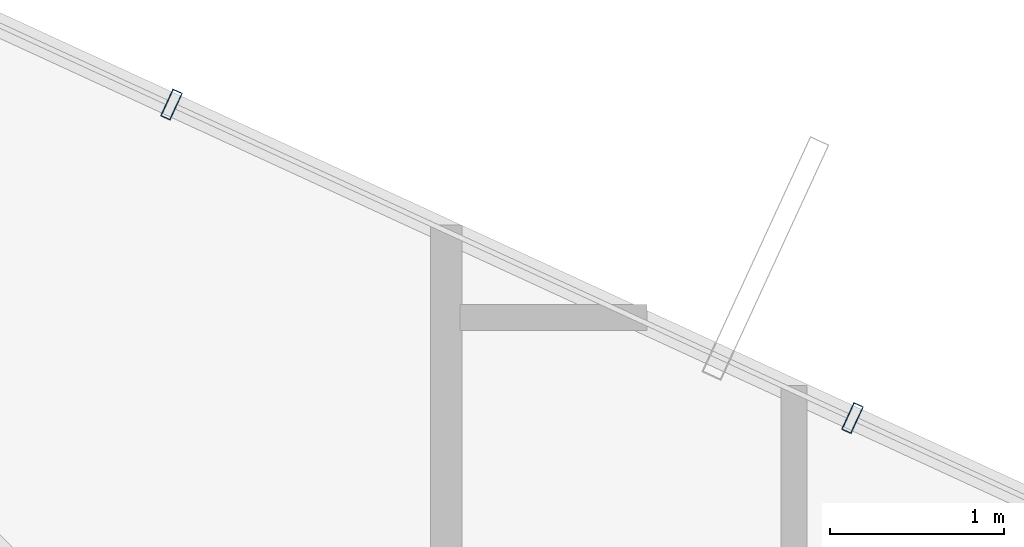
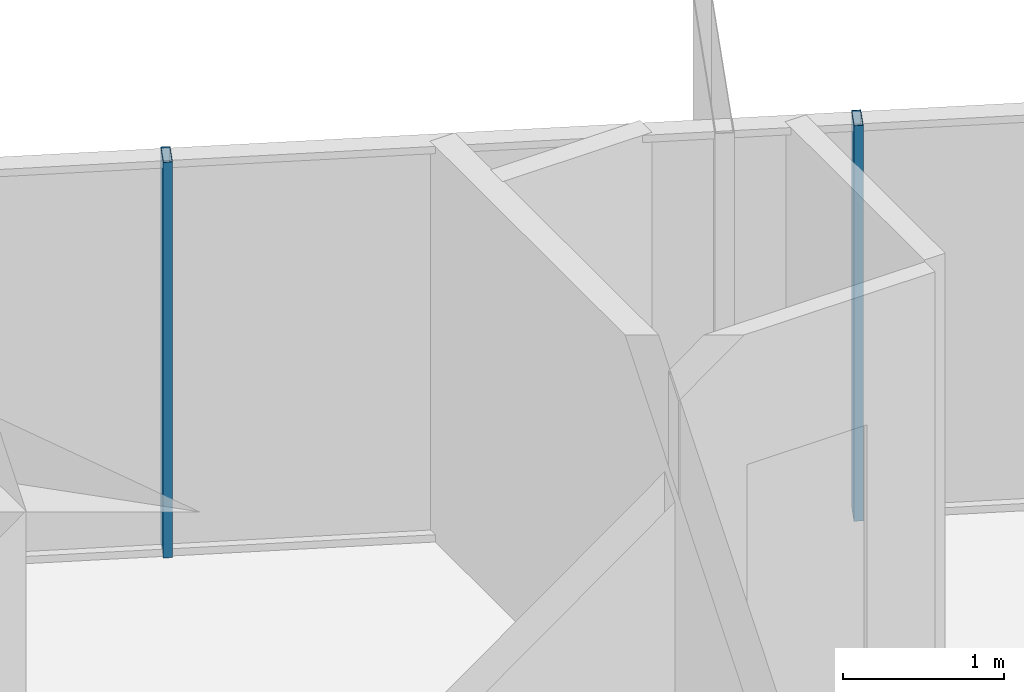
# One storey, part 23 of 33: 2 members, 1 element without a shape of its own.
"""IFC4 building model written with IfcOpenShell, lengths in metres."""

from ifc_helpers import new_model, si_unit, direction, frame, origin, origin_2d, place, context, subcontext, project, spatial, hollow_rectangle, extrude, source, transform, mapped, material, layer, layer_set, material_profile, profile_set, type_object, element, aggregate, save


model = new_model("IFC4")

# Units and contexts
model_context = context("Model", 3, precision=1e-05, world=origin(), true_north=direction((0.0, 1.0)))
body_context = subcontext(model_context, "Body", "Model", "MODEL_VIEW")
ifc_project = project(units=[si_unit("LENGTHUNIT", "METRE"), si_unit("AREAUNIT", "SQUARE_METRE"), si_unit("VOLUMEUNIT", "CUBIC_METRE"), si_unit("PLANEANGLEUNIT", "RADIAN"), si_unit("MASSUNIT", "GRAM", prefix="KILO")], contexts=[model_context])

# Site, building, storey
site_placement = place(None, origin())
site = spatial("IfcSite", under=ifc_project, at=site_placement, CompositionType="ELEMENT")
building_placement = place(site_placement, origin())
building = spatial("IfcBuilding", under=site, at=building_placement, Name="Veraguas Prism Commons", CompositionType="ELEMENT")
storey_placement = place(building_placement, frame((0.0, 0.0, 145.75)))
storey = spatial("IfcBuildingStorey", under=building, at=storey_placement, Name="L41", CompositionType="ELEMENT", Elevation=145.75)

# Curtain wall, members
ifc_material = material(Name="Anodised aluminium EN AW-6063 T6", Category="aluminium")
ifc_layer = layer(ifc_material, 0.169921875, Name="Unitised Flush Curtain Wall Zone 2", Category="aluminium")
ifc_layer_set = layer_set([ifc_layer], Name="Anodised aluminium EN AW-6063 T6")
curtain_wall_type = type_object("IfcCurtainWallType", Name="Unitised Flush Curtain Wall Zone 2", PredefinedType="NOTDEFINED", material=ifc_layer_set)
curtain_wall_placement = place(storey_placement, origin())
curtain_wall = element("IfcCurtainWall", 1, at=curtain_wall_placement, inside=storey, type_object=curtain_wall_type, Name="Tower Facade Curtain Wall L41-F1", PredefinedType="NOTDEFINED")
ifc_material_profile = material_profile(ifc_material, hollow_rectangle(XDim=0.06005859375, YDim=0.169921875, WallThickness=0.00390625, at=origin_2d()), Name="AL60X170X4")
ifc_profile_set = profile_set([ifc_material_profile], Name="Anodised aluminium EN AW-6063 T6")
member_type = type_object("IfcMemberType", Name="Curtain Wall Mullion Lower AL 60x170x4", PredefinedType="MULLION", material=ifc_profile_set)
shared_shape = source(origin(), body_context, "Body", "SweptSolid", [
    extrude(hollow_rectangle(XDim=0.06005859375, YDim=0.169921875, WallThickness=0.00390625, at=origin_2d()), origin(), (0.0, 0.0, 1.0), 3.0),
])
member_1_placement = place(storey_placement, frame((35.935546875, 39.622802734375, 0.0), z_axis=(0.0, 0.0, 1.0), x_axis=(-0.908362988922, 0.418182592124, 0.0)))
member_1 = element("IfcMember", 2, at=member_1_placement, type_object=member_type, Name="CW-Z2 Mullion 2", PredefinedType="MULLION", context=body_context, shape_type="MappedRepresentation", body=[
    mapped(shared_shape, transform((0.0, 0.0, 0.0), scale=1.0)),
])
member_2_placement = place(storey_placement, frame((32.021728515625, 41.424560546875, 0.0), z_axis=(0.0, 0.0, 1.0), x_axis=(-0.908362988922, 0.418182592124, 0.0)))
member_2 = element("IfcMember", 3, at=member_2_placement, type_object=member_type, Name="CW-Z2 Mullion 3", PredefinedType="MULLION", context=body_context, shape_type="MappedRepresentation", body=[
    mapped(shared_shape, transform((0.0, 0.0, 0.0), scale=1.0)),
])
aggregate(curtain_wall, [member_1, member_2])

save(model, "model.ifc")
